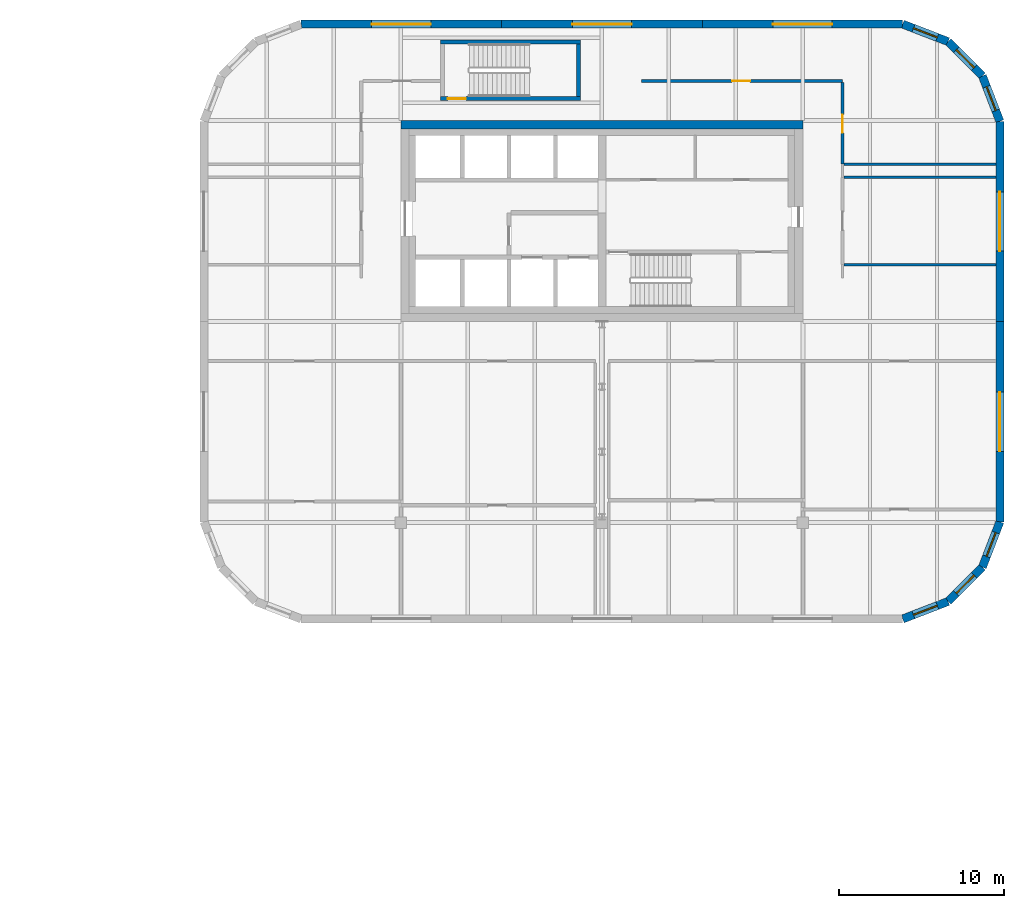
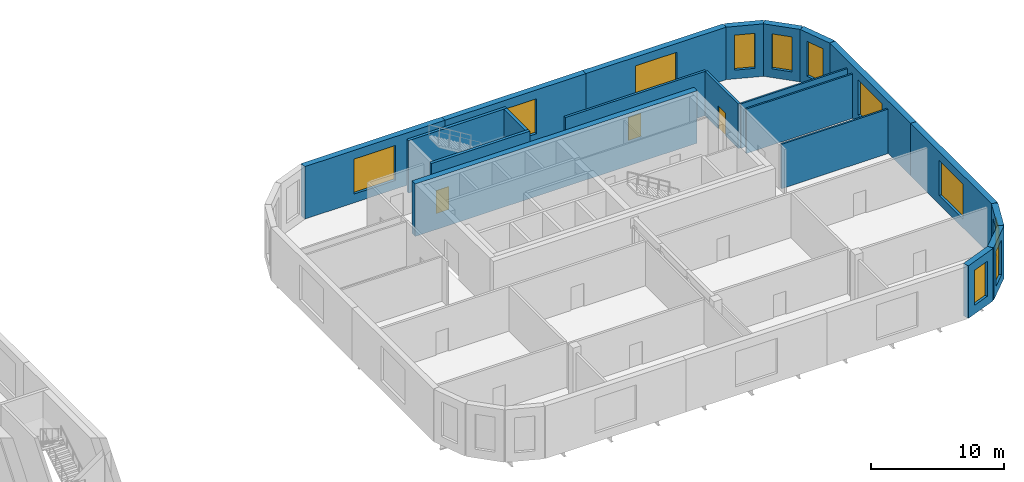
# One storey, part 16 of 21: 20 walls, 11 windows, 3 doors, 14 openings.
"""IFC4 building model written with IfcOpenShell, lengths in metres."""

from ifc_helpers import new_model, si_unit, direction, frame, frame_2d, origin, place, context, subcontext, project, spatial, polyline, rectangle, outline, extrude, faceted_brep, source, transform, mapped, material, layer, layer_set, type_object, element, fill, save


model = new_model("IFC4")

# Units and contexts
model_context = context("Model", 3, precision=1e-05, world=origin(), true_north=direction((0.0, 1.0)))
body_context = subcontext(model_context, "Body", "Model", "MODEL_VIEW")
ifc_project = project(units=[si_unit("LENGTHUNIT", "METRE"), si_unit("AREAUNIT", "SQUARE_METRE"), si_unit("VOLUMEUNIT", "CUBIC_METRE"), si_unit("PLANEANGLEUNIT", "RADIAN"), si_unit("MASSUNIT", "GRAM", prefix="KILO")], contexts=[model_context])

# Site, building, storey
site_placement = place(None, origin())
site = spatial("IfcSite", under=ifc_project, at=site_placement, CompositionType="ELEMENT")
building_placement = place(site_placement, origin())
building = spatial("IfcBuilding", under=site, at=building_placement, Name="Tessera Gate Towers", CompositionType="ELEMENT")
storey_placement = place(building_placement, frame((0.0, 0.0, 63.800048828125)))
storey = spatial("IfcBuildingStorey", under=building, at=storey_placement, Name="L15", CompositionType="ELEMENT", Elevation=63.800048828125)

# Walls
ifc_material_1 = material(Name="Gypsum board on steel studs, mineral wool", Category="steel")
ifc_layer_1 = layer(ifc_material_1, 0.14990234375)
ifc_layer_set_1 = layer_set([ifc_layer_1], Name="CHASE WALL 150")
wall_type_1 = type_object("IfcWallType", Name="CHASE WALL 150", PredefinedType="PARTITIONING", material=ifc_layer_set_1)
for number, where, z_axis, x_axis, name in (
    (1, (124.5009765625, 40.050048828125, 0.0), (0.0, 0.0, 1.0), (1.0, 0.0, 0.0), "T2-L15-PW-023"),
    (2, (124.5009765625, 45.35009765625, 0.0), (0.0, 0.0, 1.0), (1.0, 0.0, 0.0), "T2-L15-PW-027"),
    (3, (124.5009765625, 46.14990234375, 0.0), (0.0, 0.0, 1.0), (1.0, 0.0, 0.0), "T2-L15-PW-031"),
):
    element("IfcWall", number, at=place(storey_placement, frame(where, z_axis=z_axis, x_axis=x_axis)), inside=storey, type_object=wall_type_1, Name=name, PredefinedType="PARTITIONING", context=body_context, shape_type="SweptSolid", body=[
        extrude(rectangle(XDim=9.198974609375, YDim=0.14990234375, at=frame_2d((4.599609375, 0.0))), origin(), (0.0, 0.0, 1.0), 4.06689453125),
    ])

# Wall, opening, door
ifc_material_2 = material(Name="Concrete C40/50", Category="concrete")
ifc_layer_2 = layer(ifc_material_2, 0.25)
ifc_layer_set_2 = layer_set([ifc_layer_2], Name="CORE ENCLOSURE WALL 250")
wall_type_2 = type_object("IfcWallType", Name="CORE ENCLOSURE WALL 250", PredefinedType="SOLIDWALL", material=ifc_layer_set_2)
wall_1_placement = place(storey_placement, frame((108.5, 50.125, 0.0), z_axis=(0.0, 0.0, 1.0), x_axis=(-1.0, 0.0, 0.0)))
wall_1 = element("IfcWall", 4, at=wall_1_placement, inside=storey, type_object=wall_type_2, Name="L15 ST7 enclosure wall", PredefinedType="SOLIDWALL", context=body_context, shape_type="SweptSolid", body=[
    extrude(rectangle(XDim=8.5, YDim=0.25, at=frame_2d((4.25, 0.0))), origin(), (0.0, 0.0, 1.0), 4.800048828125),
])
shared_shape_1 = source(origin(), body_context, "Body", "SweptSolid", [
    extrude(rectangle(XDim=1.10009765625, YDim=2.10009765625, at=frame_2d((0.550048828125, 1.050048828125))), frame((0.0, 0.135009765625, 0.0), z_axis=(0.0, -1.0, 0.0), x_axis=(1.0, 0.0, 0.0)), (0.0, 0.0, 1.0), 0.27001953125),
])
opening_1_placement = place(wall_1_placement, frame((6.949951171875, 0.0, 0.0)))
opening_1 = element("IfcOpeningElement", 5, at=opening_1_placement, cuts=wall_1, Name="Opening SD-ST7-1", PredefinedType="OPENING", context=body_context, shape_type="MappedRepresentation", body=[
    mapped(shared_shape_1, transform((0.0, 0.0, 0.0), scale=1.0)),
])
ifc_material_3 = material(Name="Hollow steel fire door", Category="steel")
door_type_1 = type_object("IfcDoorType", Name="CORE DOOR SD1100 1100x2100", OperationType="NOTDEFINED", PredefinedType="DOOR", material=ifc_material_3)
shared_shape_2 = source(origin(), body_context, "Body", "SweptSolid", [
    extrude(rectangle(XDim=1.10009765625, YDim=2.10009765625, at=frame_2d((0.550048828125, 1.050048828125))), frame((0.0, 0.02490234375, 0.0), z_axis=(0.0, -1.0, 0.0), x_axis=(1.0, 0.0, 0.0)), (0.0, 0.0, 1.0), 0.050048828125),
])
door_1_placement = place(opening_1_placement, origin())
door_1 = element("IfcDoor", 6, at=door_1_placement, inside=storey, type_object=door_type_1, Name="Stair door", OperationType="SINGLE_SWING_RIGHT", OverallHeight=2.10009765625, OverallWidth=1.10009765625, PredefinedType="DOOR", context=body_context, shape_type="MappedRepresentation", body=[
    mapped(shared_shape_2, transform((0.0, 0.0, 0.0), scale=1.0)),
])
fill(opening_1, door_1)

# Walls
wall_2_placement = place(storey_placement, frame((100.0, 53.574951171875, 0.0), z_axis=(0.0, 0.0, 1.0), x_axis=(1.0, 0.0, 0.0)))
element("IfcWall", 7, at=wall_2_placement, inside=storey, type_object=wall_type_2, Name="L15 ST7 enclosure wall", PredefinedType="SOLIDWALL", context=body_context, shape_type="SweptSolid", body=[
    extrude(rectangle(XDim=8.5, YDim=0.25, at=frame_2d((4.25, 0.0))), origin(), (0.0, 0.0, 1.0), 4.800048828125),
])
wall_3_placement = place(storey_placement, frame((108.375, 53.449951171875, 0.0), z_axis=(0.0, 0.0, 1.0), x_axis=(0.0, -1.0, 0.0)))
element("IfcWall", 8, at=wall_3_placement, inside=storey, type_object=wall_type_2, Name="L15 ST7 enclosure wall", PredefinedType="SOLIDWALL", context=body_context, shape_type="SweptSolid", body=[
    extrude(rectangle(XDim=3.199951171875, YDim=0.25, at=frame_2d((1.60009765625, 0.0))), origin(), (0.0, 0.0, 1.0), 4.800048828125),
])
ifc_material_4 = material(Name="Concrete C50/60", Category="concrete")
ifc_layer_3 = layer(ifc_material_4, 0.5)
ifc_layer_set_3 = layer_set([ifc_layer_3], Name="CORE SHEAR WALL 500 C50/60")
wall_type_3 = type_object("IfcWallType", Name="CORE SHEAR WALL 500 C50/60", PredefinedType="SHEAR", material=ifc_layer_set_3)
wall_4_placement = place(storey_placement, frame((97.60009765625, 48.550048828125, 0.0), z_axis=(0.0, 0.0, 1.0), x_axis=(1.0, 0.0, 0.0)))
element("IfcWall", 9, at=wall_4_placement, inside=storey, type_object=wall_type_3, Name="Core wall N L15", PredefinedType="SHEAR", context=body_context, shape_type="SweptSolid", body=[
    extrude(rectangle(XDim=24.39990234375, YDim=0.5, at=frame_2d((12.199951171875, 0.0))), origin(), (0.0, 0.0, 1.0), 4.800048828125),
])

# Wall, opening, door
ifc_material_5 = material(Name="Concrete masonry unit", Category="masonry")
ifc_layer_4 = layer(ifc_material_5, 0.199951171875)
ifc_layer_set_4 = layer_set([ifc_layer_4], Name="PLANT WALL 200")
wall_type_4 = type_object("IfcWallType", Name="PLANT WALL 200", PredefinedType="PARTITIONING", material=ifc_layer_set_4)
wall_5_placement = place(storey_placement, frame((124.39990234375, 51.09912109375, 0.0), z_axis=(0.0, 0.0, 1.0), x_axis=(0.0, -1.0, 0.0)))
wall_5 = element("IfcWall", 10, at=wall_5_placement, inside=storey, type_object=wall_type_4, Name="T2-L15-PW-030", PredefinedType="PARTITIONING", context=body_context, shape_type="SweptSolid", body=[
    extrude(rectangle(XDim=4.94921875, YDim=0.199951171875, at=frame_2d((2.474609375, 0.0))), origin(), (0.0, 0.0, 1.0), 4.06689453125),
])
shared_shape_3 = source(origin(), body_context, "Body", "SweptSolid", [
    extrude(rectangle(XDim=1.10009765625, YDim=2.10009765625, at=frame_2d((0.550048828125, 1.050048828125))), frame((0.0, 0.10986328125, 0.0), z_axis=(0.0, -1.0, 0.0), x_axis=(1.0, 0.0, 0.0)), (0.0, 0.0, 1.0), 0.219970703125),
])
opening_2_placement = place(wall_5_placement, frame((1.948974609375, 0.0, 0.0)))
opening_2 = element("IfcOpeningElement", 11, at=opening_2_placement, cuts=wall_5, Name="Opening D5110FD90-B20-02", PredefinedType="OPENING", context=body_context, shape_type="MappedRepresentation", body=[
    mapped(shared_shape_3, transform((0.0, 0.0, 0.0), scale=1.0)),
])
ifc_material_6 = material(Name="Timber door leaf in steel frame", Category="steel")
door_type_2 = type_object("IfcDoorType", Name="PLANT DOOR 1100 FD90", OperationType="NOTDEFINED", PredefinedType="DOOR", material=ifc_material_6)
door_2_placement = place(opening_2_placement, origin())
door_2 = element("IfcDoor", 12, at=door_2_placement, inside=storey, type_object=door_type_2, Name="T2-L15-PD-002", OperationType="SINGLE_SWING_RIGHT", OverallHeight=2.10009765625, OverallWidth=1.10009765625, PredefinedType="DOOR", context=body_context, shape_type="MappedRepresentation", body=[
    mapped(shared_shape_2, transform((0.0, 0.0, 0.0), scale=1.0)),
])
fill(opening_2, door_2)

wall_6_placement = place(storey_placement, frame((112.199951171875, 51.199951171875, 0.0), z_axis=(0.0, 0.0, 1.0), x_axis=(1.0, 0.0, 0.0)))
wall_6 = element("IfcWall", 13, at=wall_6_placement, inside=storey, type_object=wall_type_4, Name="T2-L15-PW-033", PredefinedType="PARTITIONING", context=body_context, shape_type="SweptSolid", body=[
    extrude(rectangle(XDim=12.199951171875, YDim=0.199951171875, at=frame_2d((6.10009765625, 0.0))), origin(), (0.0, 0.0, 1.0), 4.06689453125),
])
opening_3_placement = place(wall_6_placement, frame((5.5, 0.0, 0.0)))
opening_3 = element("IfcOpeningElement", 14, at=opening_3_placement, cuts=wall_6, Name="Opening D5110FD90-B20-14", PredefinedType="OPENING", context=body_context, shape_type="MappedRepresentation", body=[
    mapped(shared_shape_3, transform((0.0, 0.0, 0.0), scale=1.0)),
])
door_3_placement = place(opening_3_placement, origin())
door_3 = element("IfcDoor", 15, at=door_3_placement, inside=storey, type_object=door_type_2, Name="T2-L15-PD-014", OperationType="SINGLE_SWING_LEFT", OverallHeight=2.10009765625, OverallWidth=1.10009765625, PredefinedType="DOOR", context=body_context, shape_type="MappedRepresentation", body=[
    mapped(shared_shape_2, transform((0.0, 0.0, 0.0), scale=1.0)),
])
fill(opening_3, door_3)

# Wall, opening, window
ifc_material_7 = material(Name="Precast concrete C60/75 white", Category="concrete")
ifc_layer_5 = layer(ifc_material_7, 0.5)
ifc_layer_set_5 = layer_set([ifc_layer_5], Name="RB1 ring band panel")
wall_type_5 = type_object("IfcWallType", Name="RB1 ring band panel", PredefinedType="SOLIDWALL", material=ifc_layer_set_5)
shared_shape_4 = source(origin(), body_context, "Body", "Brep", [
    faceted_brep([(0.0, -0.25, 0.0), (12.153564453125, -0.25, 0.0), (12.153564453125, -0.25, 4.800048828125), (0.0, -0.25, 4.800048828125), (0.046630859375, 0.25, 4.800048828125), (12.153564453125, 0.25, 4.800048828125), (12.153564453125, 0.25, 0.0), (0.046630859375, 0.25, 0.0), (0.0, 0.0, 0.0), (0.0, 0.0, 4.800048828125)], [[[0, 1, 2, 3]], [[4, 5, 6, 7]], [[7, 6, 1, 0, 8]], [[5, 4, 9, 3, 2]], [[8, 0, 3, 9]], [[7, 8, 9, 4]], [[1, 6, 5, 2]]]),
])
wall_7_placement = place(storey_placement, frame((133.949951171875, 24.446533203125, 0.0), z_axis=(0.0, 0.0, 1.0), x_axis=(0.0, 1.0, 0.0)))
wall_7 = element("IfcWall", 16, at=wall_7_placement, inside=storey, type_object=wall_type_5, Name="Ring band panel T2 RB1-0007", PredefinedType="SOLIDWALL", context=body_context, shape_type="MappedRepresentation", body=[
    mapped(shared_shape_4, transform((0.0, 0.0, 0.0), scale=1.0)),
])
shared_shape_5 = source(origin(), body_context, "Body", "SweptSolid", [
    extrude(outline(polyline([(4.276611328125, 0.800048828125), (7.876708984375, 0.800048828125), (7.876708984375, 4.0), (4.276611328125, 4.0), (4.276611328125, 0.800048828125)])), frame((0.0, 0.260009765625, 0.0), z_axis=(0.0, -1.0, 0.0), x_axis=(1.0, 0.0, 0.0)), (0.0, 0.0, 1.0), 0.52001953125),
])
opening_4_placement = place(wall_7_placement, origin())
opening_4 = element("IfcOpeningElement", 17, at=opening_4_placement, cuts=wall_7, Name="Opening T2-WN-LV1-0007", PredefinedType="OPENING", context=body_context, shape_type="MappedRepresentation", body=[
    mapped(shared_shape_5, transform((0.0, 0.0, 0.0), scale=1.0)),
])
ifc_material_8 = material(Name="Aluminium louvre", Category="aluminium")
ifc_layer_6 = layer(ifc_material_8, 0.06005859375)
ifc_layer_set_6 = layer_set([ifc_layer_6], Name="LV1 louvre")
window_type = type_object("IfcWindowType", Name="LV1 louvre", PartitioningType="USERDEFINED", PredefinedType="WINDOW", material=ifc_layer_set_6)
shared_shape_6 = source(origin(), body_context, "Body", "SweptSolid", [
    extrude(outline(polyline([(4.276611328125, 0.800048828125), (7.876708984375, 0.800048828125), (7.876708984375, 4.0), (4.276611328125, 4.0), (4.276611328125, 0.800048828125)])), frame((0.0, 0.030029296875, 0.0), z_axis=(0.0, -1.0, 0.0), x_axis=(1.0, 0.0, 0.0)), (0.0, 0.0, 1.0), 0.06005859375),
])
window_1_placement = place(opening_4_placement, origin())
window_1 = element("IfcWindow", 18, at=window_1_placement, inside=storey, type_object=window_type, Name="Louvre T2 WN-LV1-0007", OverallHeight=3.199951171875, OverallWidth=3.60009765625, PartitioningType="USERDEFINED", PredefinedType="WINDOW", context=body_context, shape_type="MappedRepresentation", body=[
    mapped(shared_shape_6, transform((0.0, 0.0, 0.0), scale=1.0)),
])
fill(opening_4, window_1)

wall_8_placement = place(storey_placement, frame((128.053466796875, 54.64990234375, 0.0), z_axis=(0.0, 0.0, 1.0), x_axis=(-1.0, 0.0, 0.0)))
wall_8 = element("IfcWall", 19, at=wall_8_placement, inside=storey, type_object=wall_type_5, Name="Ring band panel T2 RB1-0012", PredefinedType="SOLIDWALL", context=body_context, shape_type="MappedRepresentation", body=[
    mapped(shared_shape_4, transform((0.0, 0.0, 0.0), scale=1.0)),
])
opening_5_placement = place(wall_8_placement, origin())
opening_5 = element("IfcOpeningElement", 20, at=opening_5_placement, cuts=wall_8, Name="Opening T2-WN-LV1-0012", PredefinedType="OPENING", context=body_context, shape_type="MappedRepresentation", body=[
    mapped(shared_shape_5, transform((0.0, 0.0, 0.0), scale=1.0)),
])
window_2_placement = place(opening_5_placement, origin())
window_2 = element("IfcWindow", 21, at=window_2_placement, inside=storey, type_object=window_type, Name="Louvre T2 WN-LV1-0012", OverallHeight=3.199951171875, OverallWidth=3.60009765625, PartitioningType="USERDEFINED", PredefinedType="WINDOW", context=body_context, shape_type="MappedRepresentation", body=[
    mapped(shared_shape_6, transform((0.0, 0.0, 0.0), scale=1.0)),
])
fill(opening_5, window_2)

shared_shape_7 = source(origin(), body_context, "Body", "Brep", [
    faceted_brep([(0.0, -0.25, 0.0), (12.153564453125, -0.25, 0.0), (12.153564453125, -0.25, 4.800048828125), (0.0, -0.25, 4.800048828125), (0.0, 0.25, 4.800048828125), (12.10693359375, 0.25, 4.800048828125), (12.10693359375, 0.25, 0.0), (0.0, 0.25, 0.0), (12.153564453125, -0.00048828125, 0.0), (12.153564453125, -0.00048828125, 4.800048828125)], [[[0, 1, 2, 3]], [[4, 5, 6, 7]], [[7, 6, 8, 1, 0]], [[9, 2, 1, 8]], [[5, 4, 3, 2, 9]], [[4, 7, 0, 3]], [[8, 6, 5, 9]]]),
])
wall_9_placement = place(storey_placement, frame((133.949951171875, 36.60009765625, 0.0), z_axis=(0.0, 0.0, 1.0), x_axis=(0.0, 1.0, 0.0)))
wall_9 = element("IfcWall", 22, at=wall_9_placement, inside=storey, type_object=wall_type_5, Name="Ring band panel T2 RB1-0008", PredefinedType="SOLIDWALL", context=body_context, shape_type="MappedRepresentation", body=[
    mapped(shared_shape_7, transform((0.0, 0.0, 0.0), scale=1.0)),
])
opening_6_placement = place(wall_9_placement, origin())
opening_6 = element("IfcOpeningElement", 23, at=opening_6_placement, cuts=wall_9, Name="Opening T2-WN-LV1-0008", PredefinedType="OPENING", context=body_context, shape_type="MappedRepresentation", body=[
    mapped(shared_shape_5, transform((0.0, 0.0, 0.0), scale=1.0)),
])
window_3_placement = place(opening_6_placement, origin())
window_3 = element("IfcWindow", 24, at=window_3_placement, inside=storey, type_object=window_type, Name="Louvre T2 WN-LV1-0008", OverallHeight=3.199951171875, OverallWidth=3.60009765625, PartitioningType="USERDEFINED", PredefinedType="WINDOW", context=body_context, shape_type="MappedRepresentation", body=[
    mapped(shared_shape_6, transform((0.0, 0.0, 0.0), scale=1.0)),
])
fill(opening_6, window_3)

wall_10_placement = place(storey_placement, frame((103.699951171875, 54.64990234375, 0.0), z_axis=(0.0, 0.0, 1.0), x_axis=(-1.0, 0.0, 0.0)))
wall_10 = element("IfcWall", 25, at=wall_10_placement, inside=storey, type_object=wall_type_5, Name="Ring band panel T2 RB1-0014", PredefinedType="SOLIDWALL", context=body_context, shape_type="MappedRepresentation", body=[
    mapped(shared_shape_7, transform((0.0, 0.0, 0.0), scale=1.0)),
])
opening_7_placement = place(wall_10_placement, origin())
opening_7 = element("IfcOpeningElement", 26, at=opening_7_placement, cuts=wall_10, Name="Opening T2-WN-LV1-0014", PredefinedType="OPENING", context=body_context, shape_type="MappedRepresentation", body=[
    mapped(shared_shape_5, transform((0.0, 0.0, 0.0), scale=1.0)),
])
window_4_placement = place(opening_7_placement, origin())
window_4 = element("IfcWindow", 27, at=window_4_placement, inside=storey, type_object=window_type, Name="Louvre T2 WN-LV1-0014", OverallHeight=3.199951171875, OverallWidth=3.60009765625, PartitioningType="USERDEFINED", PredefinedType="WINDOW", context=body_context, shape_type="MappedRepresentation", body=[
    mapped(shared_shape_6, transform((0.0, 0.0, 0.0), scale=1.0)),
])
fill(opening_7, window_4)

shared_shape_8 = source(origin(), body_context, "Body", "Brep", [
    faceted_brep([(0.0, -0.25, 0.0), (2.950439453125, -0.25, 0.0), (2.950439453125, -0.25, 4.800048828125), (0.0, -0.25, 4.800048828125), (0.046630859375, 0.25, 4.800048828125), (2.897705078125, 0.25, 4.800048828125), (2.897705078125, 0.25, 0.0), (0.046630859375, 0.25, 0.0), (2.950439453125, 0.00048828125, 0.0), (0.0, 0.0, 0.0), (2.950439453125, 0.00048828125, 4.800048828125), (0.0, 0.0, 4.800048828125)], [[[0, 1, 2, 3]], [[4, 5, 6, 7]], [[7, 6, 8, 1, 0, 9]], [[10, 2, 1, 8]], [[5, 4, 11, 3, 2, 10]], [[9, 0, 3, 11]], [[7, 9, 11, 4]], [[8, 6, 5, 10]]]),
])
wall_11_placement = place(storey_placement, frame((128.053466796875, 18.550048828125, 0.0), z_axis=(0.0, 0.0, 1.0), x_axis=(0.932999673775, 0.359877213415, 0.0)))
wall_11 = element("IfcWall", 28, at=wall_11_placement, inside=storey, type_object=wall_type_5, Name="Ring band panel T2 RB1-0004", PredefinedType="SOLIDWALL", context=body_context, shape_type="MappedRepresentation", body=[
    mapped(shared_shape_8, transform((0.0, 0.0, 0.0), scale=1.0)),
])
shared_shape_9 = source(origin(), body_context, "Body", "SweptSolid", [
    extrude(outline(polyline([(0.699951171875, 0.800048828125), (2.25048828125, 0.800048828125), (2.25048828125, 4.0), (0.699951171875, 4.0), (0.699951171875, 0.800048828125)])), frame((0.0, 0.260009765625, 0.0), z_axis=(0.0, -1.0, 0.0), x_axis=(1.0, 0.0, 0.0)), (0.0, 0.0, 1.0), 0.52001953125),
])
opening_8_placement = place(wall_11_placement, origin())
opening_8 = element("IfcOpeningElement", 29, at=opening_8_placement, cuts=wall_11, Name="Opening T2-WN-LV1-0004", PredefinedType="OPENING", context=body_context, shape_type="MappedRepresentation", body=[
    mapped(shared_shape_9, transform((0.0, 0.0, 0.0), scale=1.0)),
])
shared_shape_10 = source(origin(), body_context, "Body", "SweptSolid", [
    extrude(outline(polyline([(0.699951171875, 0.800048828125), (2.25048828125, 0.800048828125), (2.25048828125, 4.0), (0.699951171875, 4.0), (0.699951171875, 0.800048828125)])), frame((0.0, 0.030029296875, 0.0), z_axis=(0.0, -1.0, 0.0), x_axis=(1.0, 0.0, 0.0)), (0.0, 0.0, 1.0), 0.06005859375),
])
window_5_placement = place(opening_8_placement, origin())
window_5 = element("IfcWindow", 30, at=window_5_placement, inside=storey, type_object=window_type, Name="Louvre T2 WN-LV1-0004", OverallHeight=3.199951171875, OverallWidth=1.550537109375, PartitioningType="USERDEFINED", PredefinedType="WINDOW", context=body_context, shape_type="MappedRepresentation", body=[
    mapped(shared_shape_10, transform((0.0, 0.0, 0.0), scale=1.0)),
])
fill(opening_8, window_5)

wall_12_placement = place(storey_placement, frame((133.949951171875, 48.75341796875, 0.0), z_axis=(0.0, 0.0, 1.0), x_axis=(-0.359877213415, 0.932999673775, 0.0)))
wall_12 = element("IfcWall", 31, at=wall_12_placement, inside=storey, type_object=wall_type_5, Name="Ring band panel T2 RB1-0009", PredefinedType="SOLIDWALL", context=body_context, shape_type="MappedRepresentation", body=[
    mapped(shared_shape_8, transform((0.0, 0.0, 0.0), scale=1.0)),
])
opening_9_placement = place(wall_12_placement, origin())
opening_9 = element("IfcOpeningElement", 32, at=opening_9_placement, cuts=wall_12, Name="Opening T2-WN-LV1-0009", PredefinedType="OPENING", context=body_context, shape_type="MappedRepresentation", body=[
    mapped(shared_shape_9, transform((0.0, 0.0, 0.0), scale=1.0)),
])
window_6_placement = place(opening_9_placement, origin())
window_6 = element("IfcWindow", 33, at=window_6_placement, inside=storey, type_object=window_type, Name="Louvre T2 WN-LV1-0009", OverallHeight=3.199951171875, OverallWidth=1.550537109375, PartitioningType="USERDEFINED", PredefinedType="WINDOW", context=body_context, shape_type="MappedRepresentation", body=[
    mapped(shared_shape_10, transform((0.0, 0.0, 0.0), scale=1.0)),
])
fill(opening_9, window_6)

shared_shape_11 = source(origin(), body_context, "Body", "Brep", [
    faceted_brep([(0.0, -0.25, 0.0), (2.944091796875, -0.25, 0.0), (2.944091796875, -0.25, 4.800048828125), (0.0, -0.25, 4.800048828125), (0.052978515625, 0.25, 4.800048828125), (2.89111328125, 0.25, 4.800048828125), (2.89111328125, 0.25, 0.0), (0.052978515625, 0.25, 0.0), (2.944091796875, 0.000244140625, 0.0), (0.0, 0.0, 0.0), (2.944091796875, 0.000244140625, 4.800048828125), (0.0, 0.0, 4.800048828125)], [[[0, 1, 2, 3]], [[4, 5, 6, 7]], [[7, 6, 8, 1, 0, 9]], [[10, 2, 1, 8]], [[5, 4, 11, 3, 2, 10]], [[9, 0, 3, 11]], [[7, 9, 11, 4]], [[8, 6, 5, 10]]]),
])
wall_13_placement = place(storey_placement, frame((130.80615234375, 19.61181640625, 0.0), z_axis=(0.0, 0.0, 1.0), x_axis=(0.707106781187, 0.707106781187, 0.0)))
wall_13 = element("IfcWall", 34, at=wall_13_placement, inside=storey, type_object=wall_type_5, Name="Ring band panel T2 RB1-0005", PredefinedType="SOLIDWALL", context=body_context, shape_type="MappedRepresentation", body=[
    mapped(shared_shape_11, transform((0.0, 0.0, 0.0), scale=1.0)),
])
shared_shape_12 = source(origin(), body_context, "Body", "SweptSolid", [
    extrude(outline(polyline([(0.699951171875, 0.800048828125), (2.244140625, 0.800048828125), (2.244140625, 4.0), (0.699951171875, 4.0), (0.699951171875, 0.800048828125)])), frame((0.0, 0.260009765625, 0.0), z_axis=(0.0, -1.0, 0.0), x_axis=(1.0, 0.0, 0.0)), (0.0, 0.0, 1.0), 0.52001953125),
])
opening_10_placement = place(wall_13_placement, origin())
opening_10 = element("IfcOpeningElement", 35, at=opening_10_placement, cuts=wall_13, Name="Opening T2-WN-LV1-0005", PredefinedType="OPENING", context=body_context, shape_type="MappedRepresentation", body=[
    mapped(shared_shape_12, transform((0.0, 0.0, 0.0), scale=1.0)),
])
shared_shape_13 = source(origin(), body_context, "Body", "SweptSolid", [
    extrude(outline(polyline([(0.699951171875, 0.800048828125), (2.244140625, 0.800048828125), (2.244140625, 4.0), (0.699951171875, 4.0), (0.699951171875, 0.800048828125)])), frame((0.0, 0.030029296875, 0.0), z_axis=(0.0, -1.0, 0.0), x_axis=(1.0, 0.0, 0.0)), (0.0, 0.0, 1.0), 0.06005859375),
])
window_7_placement = place(opening_10_placement, origin())
window_7 = element("IfcWindow", 36, at=window_7_placement, inside=storey, type_object=window_type, Name="Louvre T2 WN-LV1-0005", OverallHeight=3.199951171875, OverallWidth=1.544189453125, PartitioningType="USERDEFINED", PredefinedType="WINDOW", context=body_context, shape_type="MappedRepresentation", body=[
    mapped(shared_shape_13, transform((0.0, 0.0, 0.0), scale=1.0)),
])
fill(opening_10, window_7)

wall_14_placement = place(storey_placement, frame((132.88818359375, 51.50634765625, 0.0), z_axis=(0.0, 0.0, 1.0), x_axis=(-0.707106781187, 0.707106781187, 0.0)))
wall_14 = element("IfcWall", 37, at=wall_14_placement, inside=storey, type_object=wall_type_5, Name="Ring band panel T2 RB1-0010", PredefinedType="SOLIDWALL", context=body_context, shape_type="MappedRepresentation", body=[
    mapped(shared_shape_11, transform((0.0, 0.0, 0.0), scale=1.0)),
])
opening_11_placement = place(wall_14_placement, origin())
opening_11 = element("IfcOpeningElement", 38, at=opening_11_placement, cuts=wall_14, Name="Opening T2-WN-LV1-0010", PredefinedType="OPENING", context=body_context, shape_type="MappedRepresentation", body=[
    mapped(shared_shape_12, transform((0.0, 0.0, 0.0), scale=1.0)),
])
window_8_placement = place(opening_11_placement, origin())
window_8 = element("IfcWindow", 39, at=window_8_placement, inside=storey, type_object=window_type, Name="Louvre T2 WN-LV1-0010", OverallHeight=3.199951171875, OverallWidth=1.544189453125, PartitioningType="USERDEFINED", PredefinedType="WINDOW", context=body_context, shape_type="MappedRepresentation", body=[
    mapped(shared_shape_13, transform((0.0, 0.0, 0.0), scale=1.0)),
])
fill(opening_11, window_8)

shared_shape_14 = source(origin(), body_context, "Body", "Brep", [
    faceted_brep([(0.0, -0.25, 0.0), (2.950439453125, -0.25, 0.0), (2.950439453125, -0.25, 4.800048828125), (0.0, -0.25, 4.800048828125), (0.052978515625, 0.25, 4.800048828125), (2.904052734375, 0.25, 4.800048828125), (2.904052734375, 0.25, 0.0), (0.052978515625, 0.25, 0.0), (2.950439453125, 0.00048828125, 0.0), (0.0, 0.0, 0.0), (2.950439453125, 0.00048828125, 4.800048828125), (0.0, 0.0, 4.800048828125)], [[[0, 1, 2, 3]], [[4, 5, 6, 7]], [[7, 6, 8, 1, 0, 9]], [[10, 2, 1, 8]], [[5, 4, 11, 3, 2, 10]], [[9, 0, 3, 11]], [[7, 9, 11, 4]], [[8, 6, 5, 10]]]),
])
wall_15_placement = place(storey_placement, frame((132.88818359375, 21.69384765625, 0.0), z_axis=(0.0, 0.0, 1.0), x_axis=(0.359877213415, 0.932999673775, 0.0)))
wall_15 = element("IfcWall", 40, at=wall_15_placement, inside=storey, type_object=wall_type_5, Name="Ring band panel T2 RB1-0006", PredefinedType="SOLIDWALL", context=body_context, shape_type="MappedRepresentation", body=[
    mapped(shared_shape_14, transform((0.0, 0.0, 0.0), scale=1.0)),
])
opening_12_placement = place(wall_15_placement, origin())
opening_12 = element("IfcOpeningElement", 41, at=opening_12_placement, cuts=wall_15, Name="Opening T2-WN-LV1-0006", PredefinedType="OPENING", context=body_context, shape_type="MappedRepresentation", body=[
    mapped(shared_shape_9, transform((0.0, 0.0, 0.0), scale=1.0)),
])
window_9_placement = place(opening_12_placement, origin())
window_9 = element("IfcWindow", 42, at=window_9_placement, inside=storey, type_object=window_type, Name="Louvre T2 WN-LV1-0006", OverallHeight=3.199951171875, OverallWidth=1.550537109375, PartitioningType="USERDEFINED", PredefinedType="WINDOW", context=body_context, shape_type="MappedRepresentation", body=[
    mapped(shared_shape_10, transform((0.0, 0.0, 0.0), scale=1.0)),
])
fill(opening_12, window_9)

wall_16_placement = place(storey_placement, frame((130.80615234375, 53.588134765625, 0.0), z_axis=(0.0, 0.0, 1.0), x_axis=(-0.932999673775, 0.359877213415, 0.0)))
wall_16 = element("IfcWall", 43, at=wall_16_placement, inside=storey, type_object=wall_type_5, Name="Ring band panel T2 RB1-0011", PredefinedType="SOLIDWALL", context=body_context, shape_type="MappedRepresentation", body=[
    mapped(shared_shape_14, transform((0.0, 0.0, 0.0), scale=1.0)),
])
opening_13_placement = place(wall_16_placement, origin())
opening_13 = element("IfcOpeningElement", 44, at=opening_13_placement, cuts=wall_16, Name="Opening T2-WN-LV1-0011", PredefinedType="OPENING", context=body_context, shape_type="MappedRepresentation", body=[
    mapped(shared_shape_9, transform((0.0, 0.0, 0.0), scale=1.0)),
])
window_10_placement = place(opening_13_placement, origin())
window_10 = element("IfcWindow", 45, at=window_10_placement, inside=storey, type_object=window_type, Name="Louvre T2 WN-LV1-0011", OverallHeight=3.199951171875, OverallWidth=1.550537109375, PartitioningType="USERDEFINED", PredefinedType="WINDOW", context=body_context, shape_type="MappedRepresentation", body=[
    mapped(shared_shape_10, transform((0.0, 0.0, 0.0), scale=1.0)),
])
fill(opening_13, window_10)

shared_shape_15 = source(origin(), body_context, "Body", "SweptSolid", [
    extrude(outline(polyline([(0.0, 0.0), (12.199951171875, 0.0), (12.199951171875, 4.800048828125), (0.0, 4.800048828125), (0.0, 0.0)])), frame((0.0, 0.25, 0.0), z_axis=(0.0, -1.0, 0.0), x_axis=(1.0, 0.0, 0.0)), (0.0, 0.0, 1.0), 0.5),
])
wall_17_placement = place(storey_placement, frame((115.89990234375, 54.64990234375, 0.0), z_axis=(0.0, 0.0, 1.0), x_axis=(-1.0, 0.0, 0.0)))
wall_17 = element("IfcWall", 46, at=wall_17_placement, inside=storey, type_object=wall_type_5, Name="Ring band panel T2 RB1-0013", PredefinedType="SOLIDWALL", context=body_context, shape_type="MappedRepresentation", body=[
    mapped(shared_shape_15, transform((0.0, 0.0, 0.0), scale=1.0)),
])
shared_shape_16 = source(origin(), body_context, "Body", "SweptSolid", [
    extrude(outline(polyline([(4.300048828125, 0.800048828125), (7.89990234375, 0.800048828125), (7.89990234375, 4.0), (4.300048828125, 4.0), (4.300048828125, 0.800048828125)])), frame((0.0, 0.260009765625, 0.0), z_axis=(0.0, -1.0, 0.0), x_axis=(1.0, 0.0, 0.0)), (0.0, 0.0, 1.0), 0.52001953125),
])
opening_14_placement = place(wall_17_placement, origin())
opening_14 = element("IfcOpeningElement", 47, at=opening_14_placement, cuts=wall_17, Name="Opening T2-WN-LV1-0013", PredefinedType="OPENING", context=body_context, shape_type="MappedRepresentation", body=[
    mapped(shared_shape_16, transform((0.0, 0.0, 0.0), scale=1.0)),
])
shared_shape_17 = source(origin(), body_context, "Body", "SweptSolid", [
    extrude(outline(polyline([(4.300048828125, 0.800048828125), (7.89990234375, 0.800048828125), (7.89990234375, 4.0), (4.300048828125, 4.0), (4.300048828125, 0.800048828125)])), frame((0.0, 0.030029296875, 0.0), z_axis=(0.0, -1.0, 0.0), x_axis=(1.0, 0.0, 0.0)), (0.0, 0.0, 1.0), 0.06005859375),
])
window_11_placement = place(opening_14_placement, origin())
window_11 = element("IfcWindow", 48, at=window_11_placement, inside=storey, type_object=window_type, Name="Louvre T2 WN-LV1-0013", OverallHeight=3.199951171875, OverallWidth=3.599853515625, PartitioningType="USERDEFINED", PredefinedType="WINDOW", context=body_context, shape_type="MappedRepresentation", body=[
    mapped(shared_shape_17, transform((0.0, 0.0, 0.0), scale=1.0)),
])
fill(opening_14, window_11)

save(model, "model.ifc")
